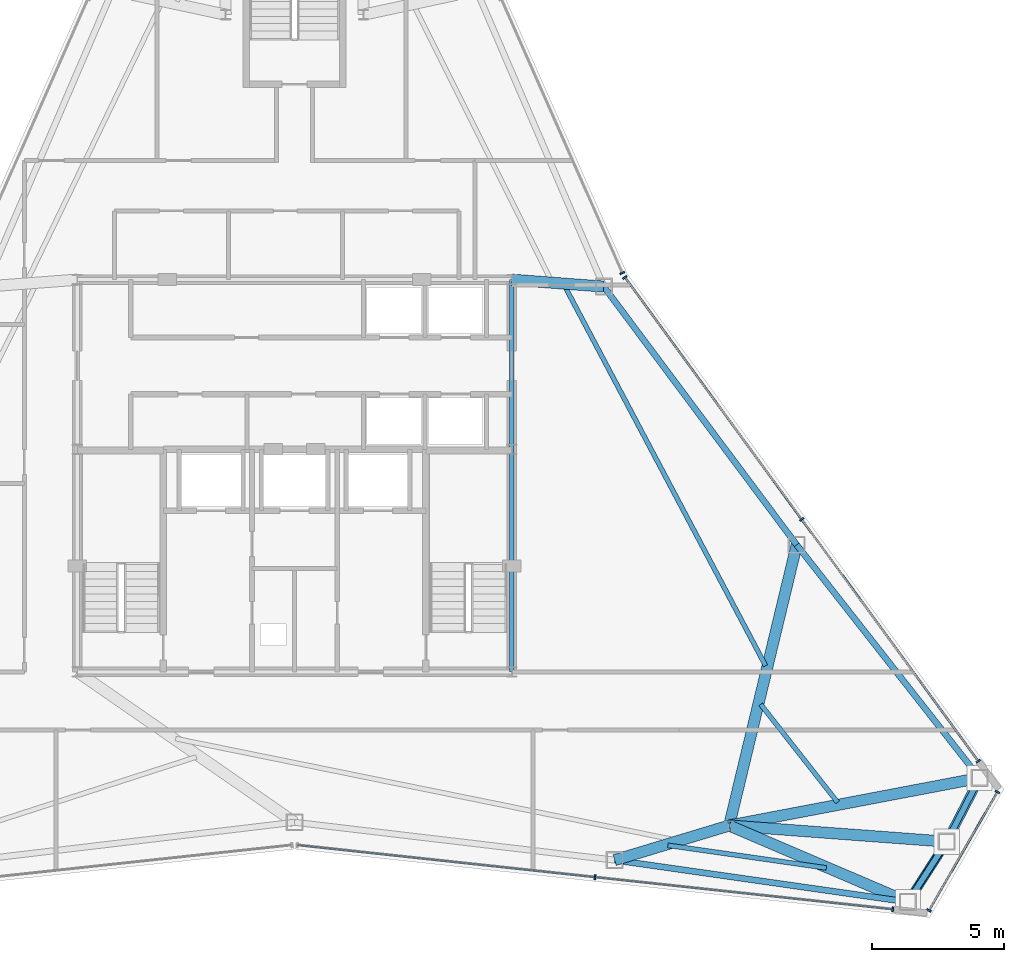
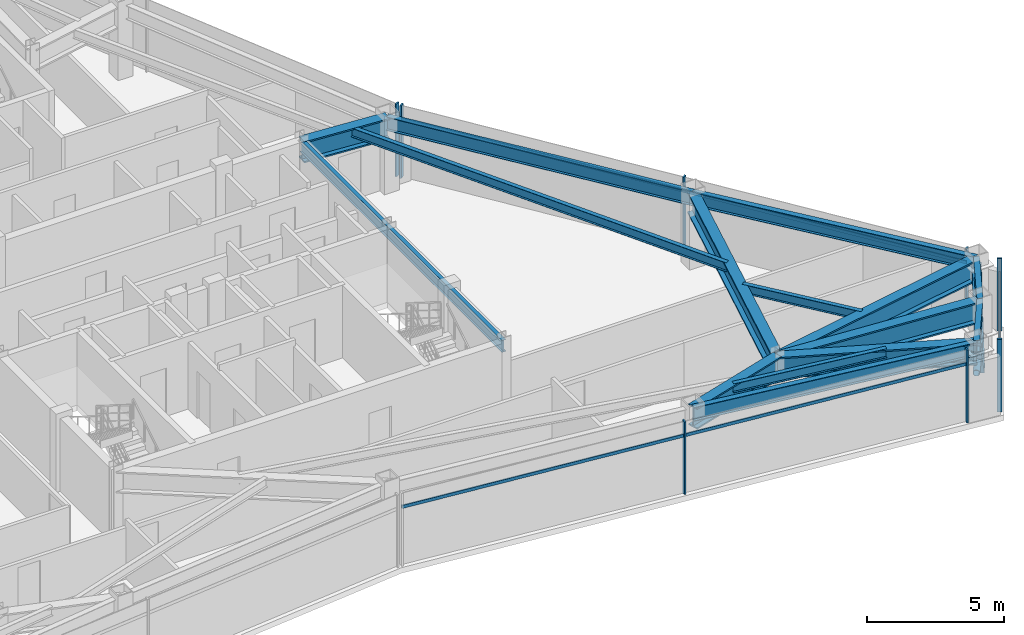
# One storey, part 6 of 12: 15 beams, 14 members, 4 elements without a shape of their own.
"""IFC4 building model written with IfcOpenShell, lengths in metres."""

from ifc_helpers import new_model, si_unit, direction, frame, origin, origin_2d, place, context, subcontext, project, spatial, rectangle, hollow_rectangle, hollow_circle, i_section, extrude, source, transform, mapped, material, layer, layer_set, material_profile, profile_set, type_object, type_shapes, element, aggregate, save


model = new_model("IFC4")

# Units and contexts
model_context = context("Model", 3, precision=1e-05, world=origin(), true_north=direction((0.0, 1.0)))
body_context = subcontext(model_context, "Body", "Model", "MODEL_VIEW")
ifc_project = project(units=[si_unit("LENGTHUNIT", "METRE"), si_unit("AREAUNIT", "SQUARE_METRE"), si_unit("VOLUMEUNIT", "CUBIC_METRE"), si_unit("PLANEANGLEUNIT", "RADIAN"), si_unit("MASSUNIT", "GRAM", prefix="KILO")], contexts=[model_context])

# Site, building, storey
site_placement = place(None, origin())
site = spatial("IfcSite", under=ifc_project, at=site_placement, CompositionType="ELEMENT")
building_placement = place(site_placement, origin())
building = spatial("IfcBuilding", under=site, at=building_placement, Name="Varakhsha Concourse Tower", CompositionType="ELEMENT")
storey_placement = place(building_placement, frame((0.0, 0.0, 265.5)))
storey = spatial("IfcBuildingStorey", under=building, at=storey_placement, Name="L75", CompositionType="ELEMENT", Elevation=265.5)

# Beams
ifc_material_1 = material(Name="Structural Steel ASTM A992 Grade 50", Category="steel")
ifc_material_profile_1 = material_profile(ifc_material_1, i_section(OverallWidth=0.177978515625, OverallDepth=0.406982421875, WebThickness=0.008056640625, FlangeThickness=0.012939453125, at=origin_2d()), Name="W16X40")
ifc_profile_set_1 = profile_set([ifc_material_profile_1], Name="Structural Steel ASTM A992 Grade 50")
beam_type_1 = type_object("IfcBeamType", Name="BM-JST-W16X40", PredefinedType="JOIST", material=ifc_profile_set_1)
beam_1_placement = place(storey_placement, frame((54.08984375, 9.85302734375, 3.04638671875), z_axis=(0.989961614971, -0.141336481079, 0.0), x_axis=(0.141336481079, 0.989961614971, 0.0)))
element("IfcBeam", 1, at=beam_1_placement, inside=storey, type_object=beam_type_1, Name="BM-TJST-L75-12", PredefinedType="JOIST", context=body_context, shape_type="SweptSolid", body=[
    extrude(i_section(OverallWidth=0.177978515625, OverallDepth=0.406982421875, WebThickness=0.008056640625, FlangeThickness=0.012939453125, at=origin_2d()), origin(), (0.0, 0.0, 1.0), 6.04052734375),
])
beam_2_placement = place(storey_placement, frame((60.49072265625, 11.47705078125, 3.04638671875), z_axis=(-0.617387784839, 0.786658962404, 0.0), x_axis=(-0.786658962404, -0.617387784839, 0.0)))
element("IfcBeam", 2, at=beam_2_placement, inside=storey, type_object=beam_type_1, Name="BM-TJST-L75-15", PredefinedType="JOIST", context=body_context, shape_type="SweptSolid", body=[
    extrude(i_section(OverallWidth=0.177978515625, OverallDepth=0.406982421875, WebThickness=0.008056640625, FlangeThickness=0.012939453125, at=origin_2d()), origin(), (0.0, 0.0, 1.0), 4.698974609375),
])
beam_3_placement = place(storey_placement, frame((57.776123046875, 16.628173828125, 3.04638671875), z_axis=(-0.467662806128, 0.883906951983, 0.0), x_axis=(-0.883906951983, -0.467662806128, 0.0)))
element("IfcBeam", 3, at=beam_3_placement, inside=storey, type_object=beam_type_1, Name="BM-TJST-L75-16", PredefinedType="JOIST", context=body_context, shape_type="SweptSolid", body=[
    extrude(i_section(OverallWidth=0.177978515625, OverallDepth=0.406982421875, WebThickness=0.008056640625, FlangeThickness=0.012939453125, at=origin_2d()), origin(), (0.0, 0.0, 1.0), 16.2099609375),
])
ifc_material_profile_2 = material_profile(ifc_material_1, i_section(OverallWidth=0.423095703125, OverallDepth=0.947998046875, WebThickness=0.0380859375, FlangeThickness=0.06396484375, at=origin_2d()), Name="W36X302")
ifc_profile_set_2 = profile_set([ifc_material_profile_2], Name="Structural Steel ASTM A992 Grade 50")
beam_type_2 = type_object("IfcBeamType", Name="BM-OUTR-W36X302", PredefinedType="USERDEFINED", material=ifc_profile_set_2)
beam_4_placement = place(storey_placement, frame((56.39990234375, 10.60009765625, 2.77587890625), z_axis=(-0.957197136996, -0.289436764988, 0.0), x_axis=(0.289436764988, -0.957197136996, 0.0)))
element("IfcBeam", 4, at=beam_4_placement, inside=storey, type_object=beam_type_2, Name="L75 Radial Floor Girder 12", ObjectType="GIRDER", PredefinedType="USERDEFINED", context=body_context, shape_type="SweptSolid", body=[
    extrude(i_section(OverallWidth=0.423095703125, OverallDepth=0.947998046875, WebThickness=0.0380859375, FlangeThickness=0.06396484375, at=origin_2d()), origin(), (0.0, 0.0, 1.0), 4.5126953125),
])
beam_5_placement = place(storey_placement, frame((56.39990234375, 10.60009765625, 2.77587890625), z_axis=(0.91941323133, -0.393292906184, 0.0), x_axis=(0.393292906184, 0.91941323133, 0.0)))
element("IfcBeam", 5, at=beam_5_placement, inside=storey, type_object=beam_type_2, Name="L75 Radial Floor Girder 13", ObjectType="GIRDER", PredefinedType="USERDEFINED", context=body_context, shape_type="SweptSolid", body=[
    extrude(i_section(OverallWidth=0.423095703125, OverallDepth=0.947998046875, WebThickness=0.0380859375, FlangeThickness=0.06396484375, at=origin_2d()), origin(), (0.0, 0.0, 1.0), 7.33935546875),
])
beam_6_placement = place(storey_placement, frame((56.39990234375, 10.60009765625, 2.77587890625), z_axis=(0.997263302263, -0.073931765569, 0.0), x_axis=(0.073931765569, 0.997263302263, 0.0)))
element("IfcBeam", 6, at=beam_6_placement, inside=storey, type_object=beam_type_2, Name="L75 Radial Floor Girder 14", ObjectType="GIRDER", PredefinedType="USERDEFINED", context=body_context, shape_type="SweptSolid", body=[
    extrude(i_section(OverallWidth=0.423095703125, OverallDepth=0.947998046875, WebThickness=0.0380859375, FlangeThickness=0.06396484375, at=origin_2d()), origin(), (0.0, 0.0, 1.0), 8.232421875),
])
beam_7_placement = place(storey_placement, frame((56.39990234375, 10.60009765625, 2.77587890625), z_axis=(0.982408020767, 0.186747103681, 0.0), x_axis=(-0.186747103681, 0.982408020767, 0.0)))
element("IfcBeam", 7, at=beam_7_placement, inside=storey, type_object=beam_type_2, Name="L75 Radial Floor Girder 15", ObjectType="GIRDER", PredefinedType="USERDEFINED", context=body_context, shape_type="SweptSolid", body=[
    extrude(i_section(OverallWidth=0.423095703125, OverallDepth=0.947998046875, WebThickness=0.0380859375, FlangeThickness=0.06396484375, at=origin_2d()), origin(), (0.0, 0.0, 1.0), 9.62060546875),
])
beam_8_placement = place(storey_placement, frame((56.39990234375, 10.60009765625, 2.77587890625), z_axis=(0.234020493668, 0.97223166403, 0.0), x_axis=(-0.97223166403, 0.234020493668, 0.0)))
element("IfcBeam", 8, at=beam_8_placement, inside=storey, type_object=beam_type_2, Name="L75 Radial Floor Girder 16", ObjectType="GIRDER", PredefinedType="USERDEFINED", context=body_context, shape_type="SweptSolid", body=[
    extrude(i_section(OverallWidth=0.423095703125, OverallDepth=0.947998046875, WebThickness=0.0380859375, FlangeThickness=0.06396484375, at=origin_2d()), origin(), (0.0, 0.0, 1.0), 10.8935546875),
])
beam_9_placement = place(storey_placement, frame((48.199951171875, 31.199951171875, 2.77587890625), z_axis=(0.997169282372, -0.075189243209, 0.0), x_axis=(0.075189243209, 0.997169282372, 0.0)))
element("IfcBeam", 9, at=beam_9_placement, inside=storey, type_object=beam_type_2, Name="L75 Radial Floor Girder 17", ObjectType="GIRDER", PredefinedType="USERDEFINED", context=body_context, shape_type="SweptSolid", body=[
    extrude(i_section(OverallWidth=0.423095703125, OverallDepth=0.947998046875, WebThickness=0.0380859375, FlangeThickness=0.06396484375, at=origin_2d()), origin(), (0.0, 0.0, 1.0), 3.480712890625),
])
ifc_material_profile_3 = material_profile(ifc_material_1, i_section(OverallWidth=0.1669921875, OverallDepth=0.534912109375, WebThickness=0.010009765625, FlangeThickness=0.01708984375, at=origin_2d()), Name="W21X57")
ifc_profile_set_3 = profile_set([ifc_material_profile_3], Name="Structural Steel ASTM A992 Grade 50")
beam_type_3 = type_object("IfcBeamType", Name="BM-RAD-W21X57", PredefinedType="BEAM", material=ifc_profile_set_3)
beam_10_placement = place(storey_placement, frame((48.199951171875, 16.39990234375, 2.982421875), z_axis=(0.0, 1.0, 0.0), x_axis=(-1.0, 0.0, 0.0)))
element("IfcBeam", 10, at=beam_10_placement, inside=storey, type_object=beam_type_3, Name="BM-TCORE-L75-CE", PredefinedType="BEAM", context=body_context, shape_type="SweptSolid", body=[
    extrude(i_section(OverallWidth=0.1669921875, OverallDepth=0.534912109375, WebThickness=0.010009765625, FlangeThickness=0.01708984375, at=origin_2d()), origin(), (0.0, 0.0, 1.0), 14.800048828125),
])
ifc_material_profile_4 = material_profile(ifc_material_1, i_section(OverallWidth=0.22900390625, OverallDepth=0.612060546875, WebThickness=0.011962890625, FlangeThickness=0.02001953125, at=origin_2d()), Name="W24X84")
ifc_profile_set_4 = profile_set([ifc_material_profile_4], Name="Structural Steel ASTM A992 Grade 50")
beam_type_4 = type_object("IfcBeamType", Name="BM-SPAN-W24X84", PredefinedType="SPANDREL", material=ifc_profile_set_4)
beam_11_placement = place(storey_placement, frame((52.080322265625, 9.2939453125, 2.944091796875), z_axis=(0.989958663525, -0.141357152321, 0.0), x_axis=(0.141357152321, 0.989958663525, 0.0)))
element("IfcBeam", 11, at=beam_11_placement, inside=storey, type_object=beam_type_4, Name="BM-SPAN-L75-12", PredefinedType="SPANDREL", context=body_context, shape_type="SweptSolid", body=[
    extrude(i_section(OverallWidth=0.22900390625, OverallDepth=0.612060546875, WebThickness=0.011962890625, FlangeThickness=0.02001953125, at=origin_2d()), origin(), (0.0, 0.0, 1.0), 11.1796875),
])
for number, where, z_axis, x_axis, name in (
    (12, (63.147705078125, 7.713623046875, 2.944091796875), (0.540192188796, 0.841541679992, 0.0), (-0.841541679992, 0.540192188796, 0.0), "BM-SPAN-L75-13"),
    (13, (64.60986328125, 9.991455078125, 2.944091796875), (0.458649812349, 0.888617099561, 0.0), (-0.888617099561, 0.458649812349, 0.0), "BM-SPAN-L75-14"),
):
    element("IfcBeam", number, at=place(storey_placement, frame(where, z_axis=z_axis, x_axis=x_axis)), inside=storey, type_object=beam_type_4, Name=name, PredefinedType="SPANDREL", context=body_context, shape_type="SweptSolid", body=[
        extrude(i_section(OverallWidth=0.22900390625, OverallDepth=0.612060546875, WebThickness=0.011962890625, FlangeThickness=0.02001953125, at=origin_2d()), origin(), (0.0, 0.0, 1.0), 2.706787109375),
    ])
beam_12_placement = place(storey_placement, frame((65.851318359375, 12.396728515625, 2.944091796875), z_axis=(-0.617389378054, 0.786657712011, 0.0), x_axis=(-0.786657712011, -0.617389378054, 0.0)))
element("IfcBeam", 14, at=beam_12_placement, inside=storey, type_object=beam_type_4, Name="BM-SPAN-L75-15", PredefinedType="SPANDREL", context=body_context, shape_type="SweptSolid", body=[
    extrude(i_section(OverallWidth=0.22900390625, OverallDepth=0.612060546875, WebThickness=0.011962890625, FlangeThickness=0.02001953125, at=origin_2d()), origin(), (0.0, 0.0, 1.0), 11.179443359375),
])
beam_13_placement = place(storey_placement, frame((58.94921875, 21.191162109375, 2.944091796875), z_axis=(-0.598316034428, 0.801260209262, 0.0), x_axis=(-0.801260209262, -0.598316034428, 0.0)))
element("IfcBeam", 15, at=beam_13_placement, inside=storey, type_object=beam_type_4, Name="BM-SPAN-L75-16", PredefinedType="SPANDREL", context=body_context, shape_type="SweptSolid", body=[
    extrude(i_section(OverallWidth=0.22900390625, OverallDepth=0.612060546875, WebThickness=0.011962890625, FlangeThickness=0.02001953125, at=origin_2d()), origin(), (0.0, 0.0, 1.0), 12.164794921875),
])

# Members
ifc_material_2 = material(Name="Structural Steel ASTM A500 Grade C", Category="steel")
ifc_material_profile_5 = material_profile(ifc_material_2, hollow_rectangle(XDim=0.35009765625, YDim=0.35009765625, WallThickness=0.01611328125, at=origin_2d()), Name="HSS 350x350x16")
ifc_profile_set_5 = profile_set([ifc_material_profile_5], Name="Structural Steel ASTM A500 Grade C")
member_type_1 = type_object("IfcMemberType", Name="MB-TUBE-HSS350", PredefinedType="BRACE", material=ifc_profile_set_5)
shared_shape_1 = source(origin(), body_context, "Body", "SweptSolid", [
    extrude(hollow_rectangle(XDim=0.35009765625, YDim=0.35009765625, WallThickness=0.01611328125, at=origin_2d()), origin(), (0.0, 0.0, 1.0), 3.916015625),
])
type_shapes(member_type_1, [shared_shape_1])
for number, where, z_axis, x_axis, name in (
    (16, (64.60986328125, 9.991455078125, 0.1201171875), (-0.373388702082, -0.581685855806, 0.722649598569), (0.841541679992, -0.540192188796, 0.0), "L75 Wind-Corner Tube Brace B05"),
    (17, (64.60986328125, 9.991455078125, 0.1201171875), (0.317026844456, 0.614227821352, 0.722646637971), (-0.888617099561, 0.458649812349, 0.0), "L75 Wind-Corner Tube Brace B06"),
):
    element("IfcMember", number, at=place(storey_placement, frame(where, z_axis=z_axis, x_axis=x_axis)), inside=storey, type_object=member_type_1, Name=name, PredefinedType="BRACE", context=body_context, shape_type="MappedRepresentation", body=[
        mapped(shared_shape_1, transform((0.0, 0.0, 0.0), scale=1.0)),
    ])
ifc_material_profile_6 = material_profile(ifc_material_2, hollow_circle(Radius=0.136474609375, WallThickness=0.011962890625, at=origin_2d()), Name="CHS 273x12")
ifc_profile_set_6 = profile_set([ifc_material_profile_6], Name="Structural Steel ASTM A500 Grade C")
member_type_2 = type_object("IfcMemberType", Name="MB-WIND-CHS273", PredefinedType="COLLAR", material=ifc_profile_set_6)
shared_shape_2 = source(origin(), body_context, "Body", "SweptSolid", [
    extrude(hollow_circle(Radius=0.136474609375, WallThickness=0.011962890625, at=origin_2d()), origin(), (0.0, 0.0, 1.0), 2.706787109375),
])
type_shapes(member_type_2, [shared_shape_2])
member_1_placement = place(storey_placement, frame((63.147705078125, 7.713623046875, 1.800048828125), z_axis=(0.540192188796, 0.841541679992, 0.0), x_axis=(-0.841541679992, 0.540192188796, 0.0)))
element("IfcMember", 18, at=member_1_placement, inside=storey, type_object=member_type_2, Name="L75 Wind-Corner Collar Tie 3", PredefinedType="COLLAR", context=body_context, shape_type="MappedRepresentation", body=[
    mapped(shared_shape_2, transform((0.0, 0.0, 0.0), scale=1.0)),
])

# Curtain wall, members
ifc_material_3 = material(Name="Anodised Bronze Architectural Aluminium AA 6063-T6", Category="aluminium")
ifc_layer = layer(ifc_material_3, 0.199951171875, Name="CW-SYS-05")
ifc_layer_set = layer_set([ifc_layer], Name="Anodised Bronze Architectural Aluminium AA 6063-T6")
curtain_wall_type = type_object("IfcCurtainWallType", Name="CW-SYS-05", PredefinedType="NOTDEFINED", material=ifc_layer_set)
curtain_wall_1_placement = place(storey_placement, origin())
curtain_wall_1 = element("IfcCurtainWall", 19, at=curtain_wall_1_placement, inside=storey, type_object=curtain_wall_type, Name="L75 Crystal Curtain Wall F6", PredefinedType="NOTDEFINED")
ifc_material_profile_7 = material_profile(ifc_material_3, rectangle(XDim=0.06494140625, YDim=0.179931640625, at=origin_2d()), Name="CWM-180X65")
ifc_profile_set_7 = profile_set([ifc_material_profile_7], Name="Anodised Bronze Architectural Aluminium AA 6063-T6")
member_type_3 = type_object("IfcMemberType", Name="CWM-180X65", PredefinedType="MULLION", material=ifc_profile_set_7)
shared_shape_3 = source(origin(), body_context, "Body", "SweptSolid", [
    extrude(rectangle(XDim=0.06494140625, YDim=0.179931640625, at=origin_2d()), origin(), (0.0, 0.0, 1.0), 3.25),
])
type_shapes(member_type_3, [shared_shape_3])
member_2_placement = place(storey_placement, frame((62.5771484375, 7.43798828125, 0.0), z_axis=(0.0, 0.0, 1.0), x_axis=(-0.994236415458, 0.10720984179, 0.0)))
member_2 = element("IfcMember", 20, at=member_2_placement, type_object=member_type_3, Name="CW-L75-F6 Mullion 00", PredefinedType="MULLION", context=body_context, shape_type="MappedRepresentation", body=[
    mapped(shared_shape_3, transform((0.0, 0.0, 0.0), scale=1.0)),
])
member_3_placement = place(storey_placement, frame((51.3369140625, 8.64990234375, 0.0), z_axis=(0.0, 0.0, 1.0), x_axis=(-0.994236415458, 0.10720984179, 0.0)))
member_3 = element("IfcMember", 21, at=member_3_placement, type_object=member_type_3, Name="CW-L75-F6 Mullion 01", PredefinedType="MULLION", context=body_context, shape_type="MappedRepresentation", body=[
    mapped(shared_shape_3, transform((0.0, 0.0, 0.0), scale=1.0)),
])

curtain_wall_2_placement = place(storey_placement, origin())
curtain_wall_2 = element("IfcCurtainWall", 22, at=curtain_wall_2_placement, inside=storey, type_object=curtain_wall_type, Name="L75 Chamfer Curtain Wall F7", PredefinedType="NOTDEFINED")
member_4_placement = place(storey_placement, frame((66.523193359375, 11.865966796875, 0.0), z_axis=(0.0, 0.0, 1.0), x_axis=(-0.499990930976, -0.866030639725, 0.0)))
member_4 = element("IfcMember", 23, at=member_4_placement, type_object=member_type_3, Name="CW-L75-F7 Mullion 00", PredefinedType="MULLION", context=body_context, shape_type="MappedRepresentation", body=[
    mapped(shared_shape_3, transform((0.0, 0.0, 0.0), scale=1.0)),
])
member_5_placement = place(storey_placement, frame((63.943359375, 7.397216796875, 0.0), z_axis=(0.0, 0.0, 1.0), x_axis=(-0.499990930976, -0.866030639725, 0.0)))
member_5 = element("IfcMember", 24, at=member_5_placement, type_object=member_type_3, Name="CW-L75-F7 Mullion 01", PredefinedType="MULLION", context=body_context, shape_type="MappedRepresentation", body=[
    mapped(shared_shape_3, transform((0.0, 0.0, 0.0), scale=1.0)),
])

curtain_wall_3_placement = place(storey_placement, origin())
curtain_wall_3 = element("IfcCurtainWall", 25, at=curtain_wall_3_placement, inside=storey, type_object=curtain_wall_type, Name="L75 Crystal Curtain Wall F8", PredefinedType="NOTDEFINED")
member_6_placement = place(storey_placement, frame((52.46533203125, 31.28515625, 0.0), z_axis=(0.0, 0.0, 1.0), x_axis=(0.589960426558, -0.807432161296, 0.0)))
member_6 = element("IfcMember", 26, at=member_6_placement, type_object=member_type_3, Name="CW-L75-F8 Mullion 00", PredefinedType="MULLION", context=body_context, shape_type="MappedRepresentation", body=[
    mapped(shared_shape_3, transform((0.0, 0.0, 0.0), scale=1.0)),
])
member_7_placement = place(storey_placement, frame((59.135009765625, 22.156982421875, 0.0), z_axis=(0.0, 0.0, 1.0), x_axis=(0.589960426558, -0.807432161296, 0.0)))
member_7 = element("IfcMember", 27, at=member_7_placement, type_object=member_type_3, Name="CW-L75-F8 Mullion 01", PredefinedType="MULLION", context=body_context, shape_type="MappedRepresentation", body=[
    mapped(shared_shape_3, transform((0.0, 0.0, 0.0), scale=1.0)),
])
member_8_placement = place(storey_placement, frame((65.804931640625, 13.028564453125, 0.0), z_axis=(0.0, 0.0, 1.0), x_axis=(0.589960426558, -0.807432161296, 0.0)))
member_8 = element("IfcMember", 28, at=member_8_placement, type_object=member_type_3, Name="CW-L75-F8 Mullion 02", PredefinedType="MULLION", context=body_context, shape_type="MappedRepresentation", body=[
    mapped(shared_shape_3, transform((0.0, 0.0, 0.0), scale=1.0)),
])

# Curtain wall, member
curtain_wall_4_placement = place(storey_placement, origin())
curtain_wall_4 = element("IfcCurtainWall", 29, at=curtain_wall_4_placement, inside=storey, type_object=curtain_wall_type, Name="L75 Crystal Curtain Wall F9", PredefinedType="NOTDEFINED")
member_9_placement = place(storey_placement, frame((52.36865234375, 31.45263671875, 0.0), z_axis=(0.0, 0.0, 1.0), x_axis=(0.404273357549, -0.914638208461, 0.0)))
member_9 = element("IfcMember", 30, at=member_9_placement, type_object=member_type_3, Name="CW-L75-F9 Mullion 02", PredefinedType="MULLION", context=body_context, shape_type="MappedRepresentation", body=[
    mapped(shared_shape_3, transform((0.0, 0.0, 0.0), scale=1.0)),
])
aggregate(curtain_wall_4, [member_9])

# Member
ifc_material_profile_8 = material_profile(ifc_material_3, rectangle(XDim=0.06005859375, YDim=0.139892578125, at=origin_2d()), Name="CWT-140X60")
ifc_profile_set_8 = profile_set([ifc_material_profile_8], Name="Anodised Bronze Architectural Aluminium AA 6063-T6")
member_type_4 = type_object("IfcMemberType", Name="CWT-140X60", PredefinedType="USERDEFINED", material=ifc_profile_set_8)
shared_shape_4 = source(origin(), body_context, "Body", "SweptSolid", [
    extrude(rectangle(XDim=0.06005859375, YDim=0.139892578125, at=origin_2d()), origin(), (0.0, 0.0, 1.0), 22.61083984375),
])
member_10_placement = place(storey_placement, frame((62.5771484375, 7.43798828125, 2.60009765625), z_axis=(-0.994236541478, 0.107208673114, 0.0), x_axis=(-0.107208673114, -0.994236541478, 0.0)))
member_10 = element("IfcMember", 31, at=member_10_placement, type_object=member_type_4, Name="CW-L75-F6 Transom 01", ObjectType="TRANSOM", PredefinedType="USERDEFINED", context=body_context, shape_type="MappedRepresentation", body=[
    mapped(shared_shape_4, transform((0.0, 0.0, 0.0), scale=1.0)),
])

aggregate(curtain_wall_1, [member_2, member_3, member_10])

member_11_placement = place(storey_placement, frame((52.46533203125, 31.28515625, 2.60009765625), z_axis=(0.589965963721, -0.807428115469, 0.0), x_axis=(0.807428115469, 0.589965963721, 0.0)))
member_11 = element("IfcMember", 32, at=member_11_placement, type_object=member_type_4, Name="CW-L75-F8 Transom 01", ObjectType="TRANSOM", PredefinedType="USERDEFINED", context=body_context, shape_type="MappedRepresentation", body=[
    mapped(shared_shape_4, transform((0.0, 0.0, 0.0), scale=1.0)),
])

aggregate(curtain_wall_3, [member_6, member_7, member_8, member_11])

shared_shape_5 = source(origin(), body_context, "Body", "SweptSolid", [
    extrude(rectangle(XDim=0.06005859375, YDim=0.139892578125, at=origin_2d()), origin(), (0.0, 0.0, 1.0), 5.159912109375),
])
type_shapes(member_type_4, [shared_shape_4, shared_shape_5])
member_12_placement = place(storey_placement, frame((66.523193359375, 11.865966796875, 2.60009765625), z_axis=(-0.499970925255, -0.866042189445, 0.0), x_axis=(0.866042189445, -0.499970925255, 0.0)))
member_12 = element("IfcMember", 33, at=member_12_placement, type_object=member_type_4, Name="CW-L75-F7 Transom 01", ObjectType="TRANSOM", PredefinedType="USERDEFINED", context=body_context, shape_type="MappedRepresentation", body=[
    mapped(shared_shape_5, transform((0.0, 0.0, 0.0), scale=1.0)),
])

aggregate(curtain_wall_2, [member_4, member_5, member_12])

save(model, "model.ifc")
